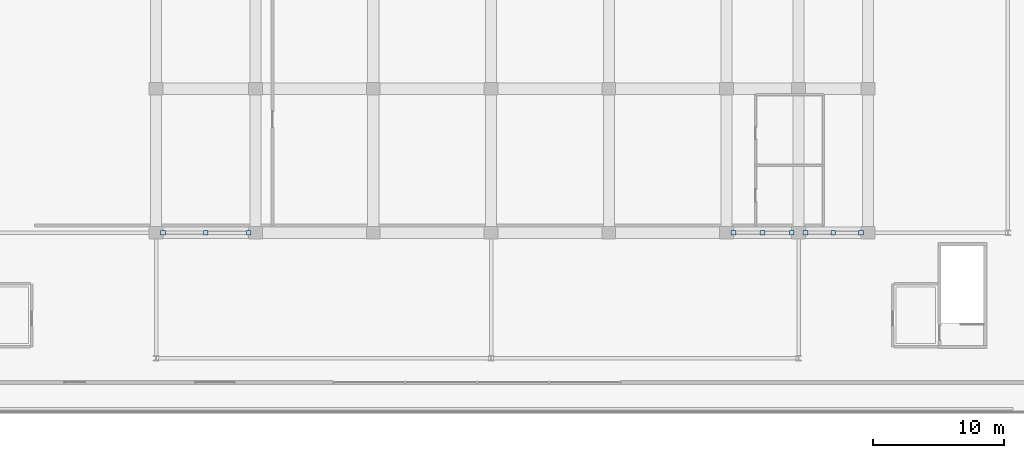
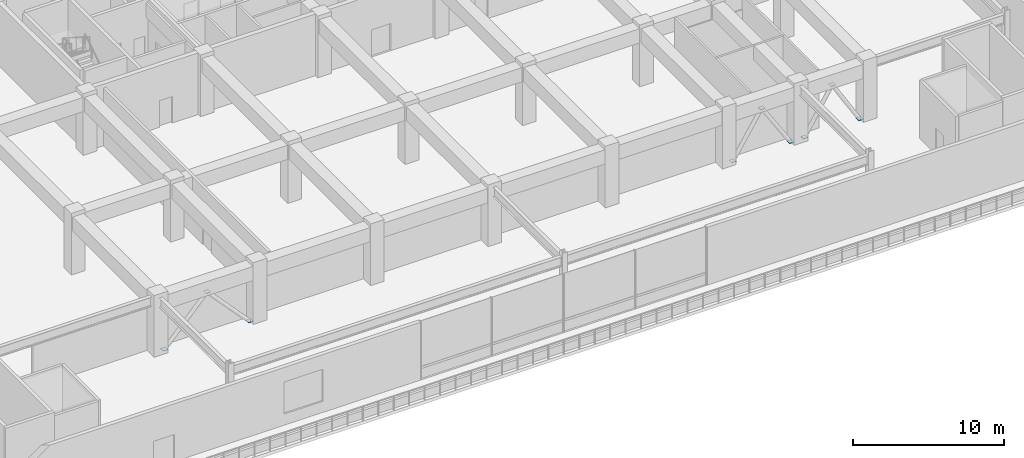
# One storey, part 19 of 38: 9 plates.
"""IFC4 building model written with IfcOpenShell, lengths in metres."""

from ifc_helpers import new_model, si_unit, direction, frame, origin, origin_2d, place, context, subcontext, project, spatial, rectangle, extrude, material, layer, layer_set, type_object, element, save


model = new_model("IFC4")

# Units and contexts
model_context = context("Model", 3, precision=1e-05, world=origin(), true_north=direction((0.0, 1.0)))
body_context = subcontext(model_context, "Body", "Model", "MODEL_VIEW")
ifc_project = project(units=[si_unit("LENGTHUNIT", "METRE"), si_unit("AREAUNIT", "SQUARE_METRE"), si_unit("VOLUMEUNIT", "CUBIC_METRE"), si_unit("PLANEANGLEUNIT", "RADIAN"), si_unit("MASSUNIT", "GRAM", prefix="KILO")], contexts=[model_context])

# Site, building, storey
site_placement = place(None, origin())
site = spatial("IfcSite", under=ifc_project, at=site_placement, CompositionType="ELEMENT")
building_placement = place(site_placement, origin())
building = spatial("IfcBuilding", under=site, at=building_placement, Name="Korimba Cascade Residences", CompositionType="ELEMENT")
storey_placement = place(building_placement, frame((0.0, 0.0, 19.0)))
storey = spatial("IfcBuildingStorey", under=building, at=storey_placement, Name="L04", CompositionType="ELEMENT", Elevation=19.0)

# Plates
ifc_material = material(Name="Steel S460", Category="steel")
ifc_layer = layer(ifc_material, 0.028076171875)
ifc_layer_set = layer_set([ifc_layer], Name="Steel S460")
plate_type = type_object("IfcPlateType", Name="PLT-ENDCAP-28", PredefinedType="USERDEFINED", material=ifc_layer_set)
for number, where, z_axis, x_axis, name in (
    (1, (75.02490234375, -4.199951171875, 0.005859375), (0.0, 0.0, 1.0), (1.0, 0.0, 0.0), "L04 Brace Welded End Connection Plate 13"),
    (2, (78.300048828125, -4.199951171875, 3.51611328125), (0.0, 0.0, 1.0), (1.0, 0.0, 0.0), "L04 Brace Welded End Connection Plate 14"),
    (3, (81.574951171875, -4.199951171875, 0.005859375), (0.0, 0.0, 1.0), (1.0, 0.0, 0.0), "L04 Brace Welded End Connection Plate 15"),
    (4, (118.625, -4.199951171875, 0.005859375), (0.0, 0.0, 1.0), (1.0, 0.0, 0.0), "L04 Brace Welded End Connection Plate 16"),
    (5, (120.85009765625, -4.199951171875, 3.51611328125), (0.0, 0.0, 1.0), (1.0, 0.0, 0.0), "L04 Brace Welded End Connection Plate 17"),
    (6, (123.074951171875, -4.199951171875, 0.005859375), (0.0, 0.0, 1.0), (1.0, 0.0, 0.0), "L04 Brace Welded End Connection Plate 18"),
    (7, (124.125, -4.199951171875, 0.005859375), (0.0, 0.0, 1.0), (1.0, 0.0, 0.0), "L04 Brace Welded End Connection Plate 19"),
    (8, (126.25, -4.199951171875, 3.51611328125), (0.0, 0.0, 1.0), (1.0, 0.0, 0.0), "L04 Brace Welded End Connection Plate 20"),
    (9, (128.375, -4.199951171875, 0.005859375), (0.0, 0.0, 1.0), (1.0, 0.0, 0.0), "L04 Brace Welded End Connection Plate 21"),
):
    element("IfcPlate", number, at=place(storey_placement, frame(where, z_axis=z_axis, x_axis=x_axis)), inside=storey, type_object=plate_type, Name=name, ObjectType="CAP PLATE", PredefinedType="USERDEFINED", context=body_context, shape_type="SweptSolid", body=[
        extrude(rectangle(XDim=0.360107421875, YDim=0.360107421875, at=origin_2d()), origin(), (0.0, 0.0, 1.0), 0.028076171875),
    ])

save(model, "model.ifc")
